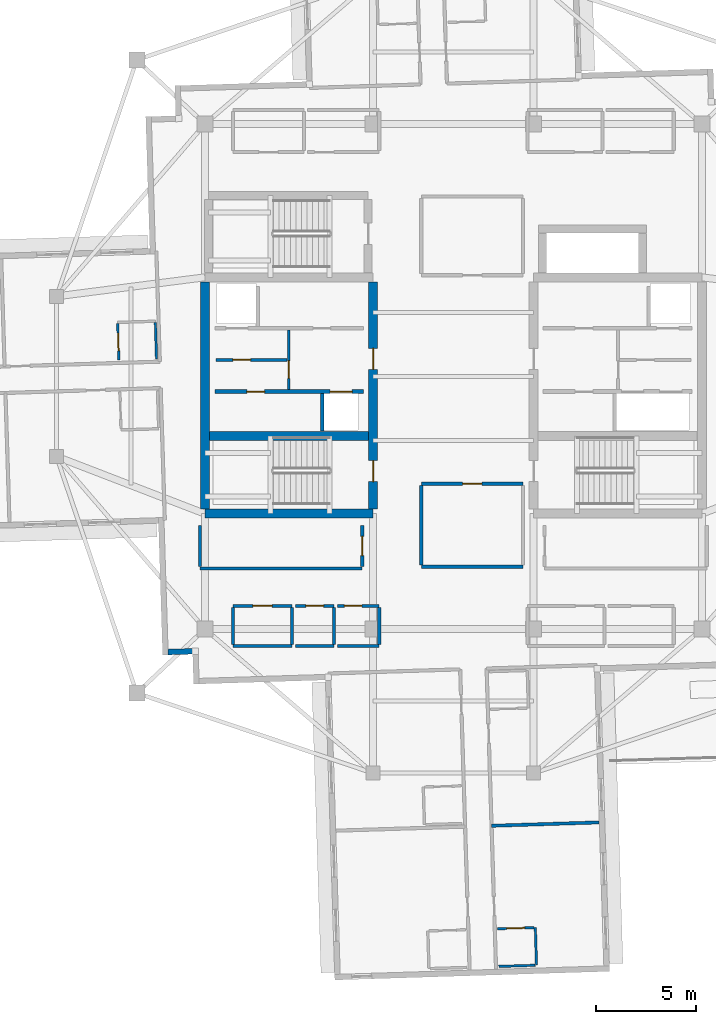
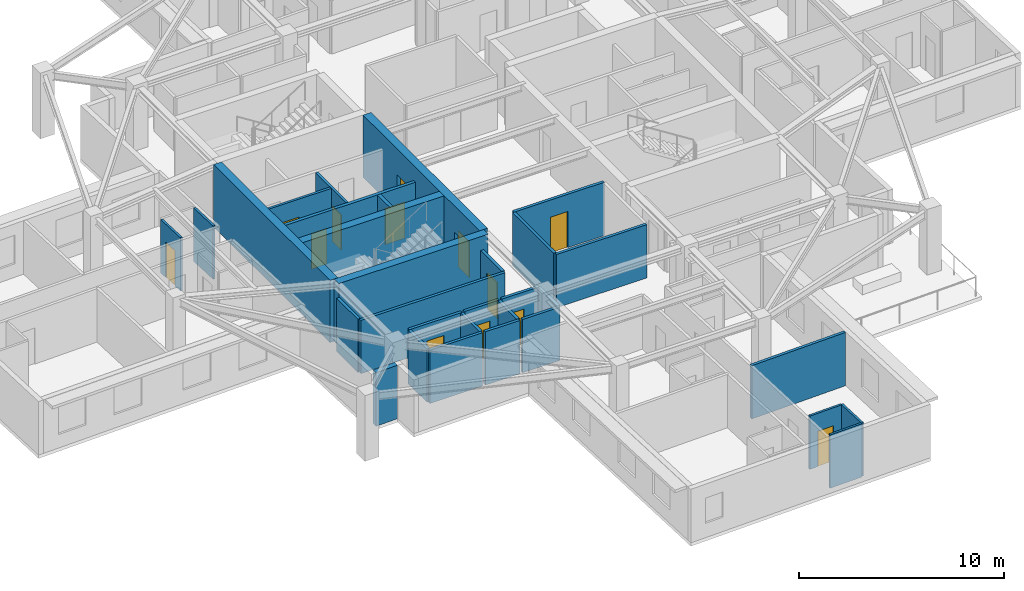
# One storey, part 4 of 13: 31 walls, 13 doors, 13 openings.
"""IFC4 building model written with IfcOpenShell, lengths in metres."""

from ifc_helpers import new_model, si_unit, direction, frame, frame_2d, origin, place, context, subcontext, project, spatial, rectangle, extrude, material, layer, layer_set, type_object, element, fill, save


model = new_model("IFC4")

# Units and contexts
model_context = context("Model", 3, precision=1e-05, world=origin(), true_north=direction((0.0, 1.0)))
body_context = subcontext(model_context, "Body", "Model", "MODEL_VIEW")
ifc_project = project(units=[si_unit("LENGTHUNIT", "METRE"), si_unit("AREAUNIT", "SQUARE_METRE"), si_unit("VOLUMEUNIT", "CUBIC_METRE"), si_unit("PLANEANGLEUNIT", "RADIAN"), si_unit("MASSUNIT", "GRAM", prefix="KILO")], contexts=[model_context])

# Site, building, storey
site_placement = place(None, origin())
site = spatial("IfcSite", under=ifc_project, at=site_placement, CompositionType="ELEMENT")
building_placement = place(site_placement, origin())
building = spatial("IfcBuilding", under=site, at=building_placement, Name="Qingluan Cross Belvedere", CompositionType="ELEMENT")
storey_placement = place(building_placement, frame((0.0, 0.0, 273.300048828125)))
storey = spatial("IfcBuildingStorey", under=building, at=storey_placement, Name="L68", CompositionType="ELEMENT", Elevation=273.300048828125)

# Walls
ifc_material_1 = material(Name="Concrete C50", Category="concrete")
ifc_layer_1 = layer(ifc_material_1, 0.449951171875, Name="CoreShearWall_450")
ifc_layer_set_1 = layer_set([ifc_layer_1], Name="Concrete C50")
wall_type_1 = type_object("IfcWallType", Name="CoreShearWall_450", PredefinedType="SHEAR", material=ifc_layer_set_1)
wall_1_placement = place(storey_placement, frame((-12.39990234375, -6.85009765625, 0.0), z_axis=(0.0, 0.0, 1.0), x_axis=(1.0, 0.0, 0.0)))
element("IfcWall", 1, at=wall_1_placement, inside=storey, type_object=wall_type_1, Name="Split core W shear wall L68-S", PredefinedType="SHEAR", context=body_context, shape_type="SweptSolid", body=[
    extrude(rectangle(XDim=8.39990234375, YDim=0.449951171875, at=frame_2d((4.199951171875, 0.0))), origin(), (0.0, 0.0, 1.0), 3.699951171875),
])
wall_2_placement = place(storey_placement, frame((-12.39990234375, -6.6201171875, 0.0), z_axis=(0.0, 0.0, 1.0), x_axis=(0.0, 1.0, 0.0)))
element("IfcWall", 2, at=wall_2_placement, inside=storey, type_object=wall_type_1, Name="Split core W shear wall L68-W", PredefinedType="SHEAR", context=body_context, shape_type="SweptSolid", body=[
    extrude(rectangle(XDim=11.340087890625, YDim=0.449951171875, at=frame_2d((5.669921875, 0.0))), origin(), (0.0, 0.0, 1.0), 3.699951171875),
])

# Wall, openings, doors
wall_3_placement = place(storey_placement, frame((-4.0, -6.6201171875, 0.0), z_axis=(0.0, 0.0, 1.0), x_axis=(0.0, 1.0, 0.0)))
wall_3 = element("IfcWall", 3, at=wall_3_placement, inside=storey, type_object=wall_type_1, Name="Split core W shear wall L68-E", PredefinedType="SHEAR", context=body_context, shape_type="SweptSolid", body=[
    extrude(rectangle(XDim=11.340087890625, YDim=0.449951171875, at=frame_2d((5.669921875, 0.0))), origin(), (0.0, 0.0, 1.0), 3.699951171875),
])
opening_1_placement = place(wall_3_placement, frame((1.3701171875, 0.0, 0.0)))
opening_1 = element("IfcOpeningElement", 4, at=opening_1_placement, cuts=wall_3, Name="Opening FD-B11", PredefinedType="OPENING", context=body_context, shape_type="SweptSolid", body=[
    extrude(rectangle(XDim=1.050048828125, YDim=2.14990234375, at=frame_2d((0.52490234375, 1.074951171875))), frame((0.0, 0.23486328125, 0.0), z_axis=(0.0, -1.0, 0.0), x_axis=(1.0, 0.0, 0.0)), (0.0, 0.0, 1.0), 0.469970703125),
])
opening_2_placement = place(wall_3_placement, frame((6.969970703125, 0.0, 0.0)))
opening_2 = element("IfcOpeningElement", 5, at=opening_2_placement, cuts=wall_3, Name="Opening FD-B11", PredefinedType="OPENING", context=body_context, shape_type="SweptSolid", body=[
    extrude(rectangle(XDim=1.050048828125, YDim=2.14990234375, at=frame_2d((0.52490234375, 1.074951171875))), frame((0.0, 0.23486328125, 0.0), z_axis=(0.0, -1.0, 0.0), x_axis=(1.0, 0.0, 0.0)), (0.0, 0.0, 1.0), 0.469970703125),
])
ifc_material_2 = material(Name="Steel Class B smoke-seal fire door", Category="steel")
door_type_1 = type_object("IfcDoorType", Name="StairLobbyFireDoor_FDB", OperationType="NOTDEFINED", PredefinedType="DOOR", material=ifc_material_2)
door_1_placement = place(opening_1_placement, origin())
door_1 = element("IfcDoor", 6, at=door_1_placement, inside=storey, type_object=door_type_1, Name="Smoke-proof stair ST1 fire door L68", OperationType="SINGLE_SWING_RIGHT", OverallHeight=2.14990234375, OverallWidth=1.050048828125, PredefinedType="DOOR", context=body_context, shape_type="SweptSolid", body=[
    extrude(rectangle(XDim=1.050048828125, YDim=2.14990234375, at=frame_2d((0.52490234375, 1.074951171875))), frame((0.0, 0.02490234375, 0.0), z_axis=(0.0, -1.0, 0.0), x_axis=(1.0, 0.0, 0.0)), (0.0, 0.0, 1.0), 0.050048828125),
])
fill(opening_1, door_1)
door_2_placement = place(opening_2_placement, origin())
door_2 = element("IfcDoor", 7, at=door_2_placement, inside=storey, type_object=door_type_1, Name="Firefighting lobby West fire door L68", OperationType="SINGLE_SWING_RIGHT", OverallHeight=2.14990234375, OverallWidth=1.050048828125, PredefinedType="DOOR", context=body_context, shape_type="SweptSolid", body=[
    extrude(rectangle(XDim=1.050048828125, YDim=2.14990234375, at=frame_2d((0.52490234375, 1.074951171875))), frame((0.0, 0.02490234375, 0.0), z_axis=(0.0, -1.0, 0.0), x_axis=(1.0, 0.0, 0.0)), (0.0, 0.0, 1.0), 0.050048828125),
])
fill(opening_2, door_2)

# Wall
wall_4_placement = place(storey_placement, frame((-12.169921875, -2.9599609375, 0.0), z_axis=(0.0, 0.0, 1.0), x_axis=(1.0, 0.0, 0.0)))
element("IfcWall", 8, at=wall_4_placement, inside=storey, type_object=wall_type_1, Name="Split core W shear wall L68-M", PredefinedType="SHEAR", context=body_context, shape_type="SweptSolid", body=[
    extrude(rectangle(XDim=7.93994140625, YDim=0.449951171875, at=frame_2d((3.969970703125, 0.0))), origin(), (0.0, 0.0, 1.0), 3.699951171875),
])

# Wall, opening, door
ifc_material_3 = material(Name="Gypsum plasterboard on steel stud acoustic partition", Category="steel")
ifc_layer_2 = layer(ifc_material_3, 0.159912109375, Name="CorridorPartition_160")
ifc_layer_set_2 = layer_set([ifc_layer_2], Name="Gypsum plasterboard on steel stud acoustic partition")
wall_type_2 = type_object("IfcWallType", Name="CorridorPartition_160", PredefinedType="PARTITIONING", material=ifc_layer_set_2)
wall_5_placement = place(storey_placement, frame((-11.85009765625, 0.830078125, 0.0), z_axis=(0.0, 0.0, 1.0), x_axis=(1.0, 0.0, 0.0)))
wall_5 = element("IfcWall", 9, at=wall_5_placement, inside=storey, type_object=wall_type_2, Name="Partition L68:w", PredefinedType="PARTITIONING", context=body_context, shape_type="SweptSolid", body=[
    extrude(rectangle(XDim=3.552001953125, YDim=0.139892578125, at=frame_2d((1.77587890625, 0.0))), origin(), (0.0, 0.0, 1.0), 3.169921875),
])
opening_3_placement = place(wall_5_placement, frame((0.85009765625, 0.0, 0.0)))
opening_3 = element("IfcOpeningElement", 10, at=opening_3_placement, cuts=wall_5, Name="Opening FD-B10", PredefinedType="OPENING", context=body_context, shape_type="SweptSolid", body=[
    extrude(rectangle(XDim=0.8798828125, YDim=2.10009765625, at=frame_2d((0.43994140625, 1.050048828125))), frame((0.0, 0.079833984375, 0.0), z_axis=(0.0, -1.0, 0.0), x_axis=(1.0, 0.0, 0.0)), (0.0, 0.0, 1.0), 0.159912109375),
])
ifc_material_4 = material(Name="Steel Class B service fire door", Category="steel")
door_type_2 = type_object("IfcDoorType", Name="RiserServiceFireDoor_FDB", OperationType="NOTDEFINED", PredefinedType="DOOR", material=ifc_material_4)
door_3_placement = place(opening_3_placement, origin())
door_3 = element("IfcDoor", 11, at=door_3_placement, inside=storey, type_object=door_type_2, Name="Service closet inner door L68", OperationType="SINGLE_SWING_LEFT", OverallHeight=2.10009765625, OverallWidth=0.8798828125, PredefinedType="DOOR", context=body_context, shape_type="SweptSolid", body=[
    extrude(rectangle(XDim=0.8798828125, YDim=2.10009765625, at=frame_2d((0.43994140625, 1.050048828125))), frame((0.0, 0.02490234375, 0.0), z_axis=(0.0, -1.0, 0.0), x_axis=(1.0, 0.0, 0.0)), (0.0, 0.0, 1.0), 0.050048828125),
])
fill(opening_3, door_3)

# Wall
wall_6_placement = place(storey_placement, frame((-11.0, -13.449951171875, 0.0), z_axis=(0.0, 0.0, 1.0), x_axis=(1.0, 0.0, 0.0)))
element("IfcWall", 12, at=wall_6_placement, inside=storey, type_object=wall_type_2, Name="Partition L68:q_sw_occ:S", PredefinedType="PARTITIONING", context=body_context, shape_type="SweptSolid", body=[
    extrude(rectangle(XDim=2.949951171875, YDim=0.159912109375, at=frame_2d((1.47509765625, 0.0))), origin(), (0.0, 0.0, 1.0), 3.169921875),
])

# Wall, opening, door
wall_7_placement = place(storey_placement, frame((-11.0, -11.449951171875, 0.0), z_axis=(0.0, 0.0, 1.0), x_axis=(1.0, 0.0, 0.0)))
wall_7 = element("IfcWall", 13, at=wall_7_placement, inside=storey, type_object=wall_type_2, Name="Partition L68:q_sw_occ:N", PredefinedType="PARTITIONING", context=body_context, shape_type="SweptSolid", body=[
    extrude(rectangle(XDim=2.949951171875, YDim=0.159912109375, at=frame_2d((1.47509765625, 0.0))), origin(), (0.0, 0.0, 1.0), 3.169921875),
])
opening_4_placement = place(wall_7_placement, frame((0.9951171875, 0.0, 0.0)))
opening_4 = element("IfcOpeningElement", 14, at=opening_4_placement, cuts=wall_7, Name="Opening GD-10", PredefinedType="OPENING", context=body_context, shape_type="SweptSolid", body=[
    extrude(rectangle(XDim=0.9599609375, YDim=2.14990234375, at=frame_2d((0.47998046875, 1.074951171875))), frame((0.0, 0.08984375, 0.0), z_axis=(0.0, -1.0, 0.0), x_axis=(1.0, 0.0, 0.0)), (0.0, 0.0, 1.0), 0.179931640625),
])
ifc_material_5 = material(Name="Timber oak fire-rated acoustic guestroom door", Category="wood")
door_type_3 = type_object("IfcDoorType", Name="GuestEntryDoor_FD60", OperationType="NOTDEFINED", PredefinedType="DOOR", material=ifc_material_5)
door_4_placement = place(opening_4_placement, origin())
door_4 = element("IfcDoor", 15, at=door_4_placement, inside=storey, type_object=door_type_3, Name="Astronomy study room L68 door", OperationType="SINGLE_SWING_RIGHT", OverallHeight=2.14990234375, OverallWidth=0.9599609375, PredefinedType="DOOR", context=body_context, shape_type="SweptSolid", body=[
    extrude(rectangle(XDim=0.9599609375, YDim=2.14990234375, at=frame_2d((0.47998046875, 1.074951171875))), frame((0.0, 0.02490234375, 0.0), z_axis=(0.0, -1.0, 0.0), x_axis=(1.0, 0.0, 0.0)), (0.0, 0.0, 1.0), 0.050048828125),
])
fill(opening_4, door_4)

# Walls
for number, where, z_axis, x_axis, name in (
    (16, (-11.0, -13.364990234375, 0.0), (0.0, 0.0, 1.0), (0.0, 1.0, 0.0), "Partition L68:q_sw_occ:W"),
    (17, (-8.050048828125, -13.364990234375, 0.0), (0.0, 0.0, 1.0), (0.0, 1.0, 0.0), "Partition L68:q_sw_occ:E"),
):
    element("IfcWall", number, at=place(storey_placement, frame(where, z_axis=z_axis, x_axis=x_axis)), inside=storey, type_object=wall_type_2, Name=name, PredefinedType="PARTITIONING", context=body_context, shape_type="SweptSolid", body=[
        extrude(rectangle(XDim=1.830078125, YDim=0.159912109375, at=frame_2d((0.9150390625, 0.0))), origin(), (0.0, 0.0, 1.0), 3.169921875),
    ])
wall_8_placement = place(storey_placement, frame((-7.889892578125, -13.449951171875, 0.0), z_axis=(0.0, 0.0, 1.0), x_axis=(1.0, 0.0, 0.0)))
element("IfcWall", 18, at=wall_8_placement, inside=storey, type_object=wall_type_2, Name="Partition L68:hk_linen:S", PredefinedType="PARTITIONING", context=body_context, shape_type="SweptSolid", body=[
    extrude(rectangle(XDim=1.93994140625, YDim=0.159912109375, at=frame_2d((0.969970703125, 0.0))), origin(), (0.0, 0.0, 1.0), 3.169921875),
])

# Wall, opening, door
wall_9_placement = place(storey_placement, frame((-7.889892578125, -11.449951171875, 0.0), z_axis=(0.0, 0.0, 1.0), x_axis=(1.0, 0.0, 0.0)))
wall_9 = element("IfcWall", 19, at=wall_9_placement, inside=storey, type_object=wall_type_2, Name="Partition L68:hk_linen:N", PredefinedType="PARTITIONING", context=body_context, shape_type="SweptSolid", body=[
    extrude(rectangle(XDim=1.93994140625, YDim=0.159912109375, at=frame_2d((0.969970703125, 0.0))), origin(), (0.0, 0.0, 1.0), 3.169921875),
])
opening_5_placement = place(wall_9_placement, frame((0.530029296875, 0.0, 0.0)))
opening_5 = element("IfcOpeningElement", 20, at=opening_5_placement, cuts=wall_9, Name="Opening FD-B10", PredefinedType="OPENING", context=body_context, shape_type="SweptSolid", body=[
    extrude(rectangle(XDim=0.8798828125, YDim=2.10009765625, at=frame_2d((0.43994140625, 1.050048828125))), frame((0.0, 0.08984375, 0.0), z_axis=(0.0, -1.0, 0.0), x_axis=(1.0, 0.0, 0.0)), (0.0, 0.0, 1.0), 0.179931640625),
])
door_5_placement = place(opening_5_placement, origin())
door_5 = element("IfcDoor", 21, at=door_5_placement, inside=storey, type_object=door_type_2, Name="Housekeeping and linen store L68 door", OperationType="SINGLE_SWING_LEFT", OverallHeight=2.10009765625, OverallWidth=0.8798828125, PredefinedType="DOOR", context=body_context, shape_type="SweptSolid", body=[
    extrude(rectangle(XDim=0.8798828125, YDim=2.10009765625, at=frame_2d((0.43994140625, 1.050048828125))), frame((0.0, 0.02490234375, 0.0), z_axis=(0.0, -1.0, 0.0), x_axis=(1.0, 0.0, 0.0)), (0.0, 0.0, 1.0), 0.050048828125),
])
fill(opening_5, door_5)

# Walls
wall_10_placement = place(storey_placement, frame((-5.949951171875, -13.364990234375, 0.0), z_axis=(0.0, 0.0, 1.0), x_axis=(0.0, 1.0, 0.0)))
element("IfcWall", 22, at=wall_10_placement, inside=storey, type_object=wall_type_2, Name="Partition L68:hk_linen:E", PredefinedType="PARTITIONING", context=body_context, shape_type="SweptSolid", body=[
    extrude(rectangle(XDim=1.830078125, YDim=0.159912109375, at=frame_2d((0.9150390625, 0.0))), origin(), (0.0, 0.0, 1.0), 3.169921875),
])
wall_11_placement = place(storey_placement, frame((-5.7900390625, -13.449951171875, 0.0), z_axis=(0.0, 0.0, 1.0), x_axis=(1.0, 0.0, 0.0)))
element("IfcWall", 23, at=wall_11_placement, inside=storey, type_object=wall_type_2, Name="Partition L68:floor_acc_wc:S", PredefinedType="PARTITIONING", context=body_context, shape_type="SweptSolid", body=[
    extrude(rectangle(XDim=2.090087890625, YDim=0.159912109375, at=frame_2d((1.044921875, 0.0))), origin(), (0.0, 0.0, 1.0), 3.169921875),
])

# Wall, opening, door
wall_12_placement = place(storey_placement, frame((-5.7900390625, -11.449951171875, 0.0), z_axis=(0.0, 0.0, 1.0), x_axis=(1.0, 0.0, 0.0)))
wall_12 = element("IfcWall", 24, at=wall_12_placement, inside=storey, type_object=wall_type_2, Name="Partition L68:floor_acc_wc:N", PredefinedType="PARTITIONING", context=body_context, shape_type="SweptSolid", body=[
    extrude(rectangle(XDim=2.090087890625, YDim=0.159912109375, at=frame_2d((1.044921875, 0.0))), origin(), (0.0, 0.0, 1.0), 3.169921875),
])
opening_6_placement = place(wall_12_placement, frame((0.35009765625, 0.0, 0.0)))
opening_6 = element("IfcOpeningElement", 25, at=opening_6_placement, cuts=wall_12, Name="Opening BD-08", PredefinedType="OPENING", context=body_context, shape_type="SweptSolid", body=[
    extrude(rectangle(XDim=0.8798828125, YDim=2.14990234375, at=frame_2d((0.43994140625, 1.074951171875))), frame((0.0, 0.08984375, 0.0), z_axis=(0.0, -1.0, 0.0), x_axis=(1.0, 0.0, 0.0)), (0.0, 0.0, 1.0), 0.179931640625),
])
ifc_material_6 = material(Name="Moisture-sealed timber accessible WC door", Category="wood")
door_type_4 = type_object("IfcDoorType", Name="AccessibleWCDoor_880", OperationType="NOTDEFINED", PredefinedType="DOOR", material=ifc_material_6)
door_6_placement = place(opening_6_placement, origin())
door_6 = element("IfcDoor", 26, at=door_6_placement, inside=storey, type_object=door_type_4, Name="Accessible guest washroom L68 door", OperationType="SINGLE_SWING_RIGHT", OverallHeight=2.14990234375, OverallWidth=0.8798828125, PredefinedType="DOOR", context=body_context, shape_type="SweptSolid", body=[
    extrude(rectangle(XDim=0.8798828125, YDim=2.14990234375, at=frame_2d((0.43994140625, 1.074951171875))), frame((0.0, 0.02490234375, 0.0), z_axis=(0.0, -1.0, 0.0), x_axis=(1.0, 0.0, 0.0)), (0.0, 0.0, 1.0), 0.050048828125),
])
fill(opening_6, door_6)

# Walls
wall_13_placement = place(storey_placement, frame((-3.699951171875, -13.364990234375, 0.0), z_axis=(0.0, 0.0, 1.0), x_axis=(0.0, 1.0, 0.0)))
element("IfcWall", 27, at=wall_13_placement, inside=storey, type_object=wall_type_2, Name="Partition L68:floor_acc_wc:E", PredefinedType="PARTITIONING", context=body_context, shape_type="SweptSolid", body=[
    extrude(rectangle(XDim=1.830078125, YDim=0.159912109375, at=frame_2d((0.9150390625, 0.0))), origin(), (0.0, 0.0, 1.0), 3.169921875),
])
wall_14_placement = place(storey_placement, frame((-1.60009765625, -9.5, 0.0), z_axis=(0.0, 0.0, 1.0), x_axis=(1.0, 0.0, 0.0)))
element("IfcWall", 28, at=wall_14_placement, inside=storey, type_object=wall_type_2, Name="Partition L68:sky_south_alcove:S", PredefinedType="PARTITIONING", context=body_context, shape_type="SweptSolid", body=[
    extrude(rectangle(XDim=5.080078125, YDim=0.159912109375, at=frame_2d((2.5400390625, 0.0))), origin(), (0.0, 0.0, 1.0), 3.169921875),
])

# Wall, opening, door
wall_15_placement = place(storey_placement, frame((-1.60009765625, -5.35009765625, 0.0), z_axis=(0.0, 0.0, 1.0), x_axis=(1.0, 0.0, 0.0)))
wall_15 = element("IfcWall", 29, at=wall_15_placement, inside=storey, type_object=wall_type_2, Name="Partition L68:sky_south_alcove:N", PredefinedType="PARTITIONING", context=body_context, shape_type="SweptSolid", body=[
    extrude(rectangle(XDim=5.080078125, YDim=0.159912109375, at=frame_2d((2.5400390625, 0.0))), origin(), (0.0, 0.0, 1.0), 3.169921875),
])
opening_7_placement = place(wall_15_placement, frame((2.06005859375, 0.0, 0.0)))
opening_7 = element("IfcOpeningElement", 30, at=opening_7_placement, cuts=wall_15, Name="Opening GD-10", PredefinedType="OPENING", context=body_context, shape_type="SweptSolid", body=[
    extrude(rectangle(XDim=0.9599609375, YDim=2.14990234375, at=frame_2d((0.47998046875, 1.074951171875))), frame((0.0, 0.08984375, 0.0), z_axis=(0.0, -1.0, 0.0), x_axis=(1.0, 0.0, 0.0)), (0.0, 0.0, 1.0), 0.179931640625),
])
door_7_placement = place(opening_7_placement, origin())
door_7 = element("IfcDoor", 31, at=door_7_placement, inside=storey, type_object=door_type_3, Name="South horizon reading alcove L68 door", OperationType="SINGLE_SWING_RIGHT", OverallHeight=2.14990234375, OverallWidth=0.9599609375, PredefinedType="DOOR", context=body_context, shape_type="SweptSolid", body=[
    extrude(rectangle(XDim=0.9599609375, YDim=2.14990234375, at=frame_2d((0.47998046875, 1.074951171875))), frame((0.0, 0.02490234375, 0.0), z_axis=(0.0, -1.0, 0.0), x_axis=(1.0, 0.0, 0.0)), (0.0, 0.0, 1.0), 0.050048828125),
])
fill(opening_7, door_7)

# Walls
wall_16_placement = place(storey_placement, frame((-1.60009765625, -9.4150390625, 0.0), z_axis=(0.0, 0.0, 1.0), x_axis=(0.0, 1.0, 0.0)))
element("IfcWall", 32, at=wall_16_placement, inside=storey, type_object=wall_type_2, Name="Partition L68:sky_south_alcove:W", PredefinedType="PARTITIONING", context=body_context, shape_type="SweptSolid", body=[
    extrude(rectangle(XDim=3.97998046875, YDim=0.159912109375, at=frame_2d((1.989990234375, 0.0))), origin(), (0.0, 0.0, 1.0), 3.169921875),
])
wall_17_placement = place(storey_placement, frame((-12.64990234375, -9.580078125, 0.0), z_axis=(0.0, 0.0, 1.0), x_axis=(1.0, 0.0, 0.0)))
element("IfcWall", 33, at=wall_17_placement, inside=storey, type_object=wall_type_2, Name="Partition L68:rec_st4_w:S", PredefinedType="PARTITIONING", context=body_context, shape_type="SweptSolid", body=[
    extrude(rectangle(XDim=8.099853515625, YDim=0.159912109375, at=frame_2d((4.0498046875, 0.0))), origin(), (0.0, 0.0, 1.0), 3.169921875),
])
wall_18_placement = place(storey_placement, frame((-12.64990234375, -9.4951171875, 0.0), z_axis=(0.0, 0.0, 1.0), x_axis=(0.0, 1.0, 0.0)))
element("IfcWall", 34, at=wall_18_placement, inside=storey, type_object=wall_type_2, Name="Partition L68:rec_st4_w:W", PredefinedType="PARTITIONING", context=body_context, shape_type="SweptSolid", body=[
    extrude(rectangle(XDim=2.06005859375, YDim=0.159912109375, at=frame_2d((1.030029296875, 0.0))), origin(), (0.0, 0.0, 1.0), 3.169921875),
])

# Wall, opening, door
wall_19_placement = place(storey_placement, frame((-4.550048828125, -9.4951171875, 0.0), z_axis=(0.0, 0.0, 1.0), x_axis=(0.0, 1.0, 0.0)))
wall_19 = element("IfcWall", 35, at=wall_19_placement, inside=storey, type_object=wall_type_2, Name="Partition L68:rec_st4_w:E", PredefinedType="PARTITIONING", context=body_context, shape_type="SweptSolid", body=[
    extrude(rectangle(XDim=2.06005859375, YDim=0.159912109375, at=frame_2d((1.030029296875, 0.0))), origin(), (0.0, 0.0, 1.0), 3.169921875),
])
opening_8_placement = place(wall_19_placement, frame((0.550048828125, 0.0, 0.0)))
opening_8 = element("IfcOpeningElement", 36, at=opening_8_placement, cuts=wall_19, Name="Opening GD-10", PredefinedType="OPENING", context=body_context, shape_type="SweptSolid", body=[
    extrude(rectangle(XDim=0.9599609375, YDim=2.14990234375, at=frame_2d((0.47998046875, 1.074951171875))), frame((0.0, 0.08984375, 0.0), z_axis=(0.0, -1.0, 0.0), x_axis=(1.0, 0.0, 0.0)), (0.0, 0.0, 1.0), 0.179931640625),
])
door_8_placement = place(opening_8_placement, origin())
door_8 = element("IfcDoor", 37, at=door_8_placement, inside=storey, type_object=door_type_3, Name="Southwest club reading room L68 door", OperationType="SINGLE_SWING_RIGHT", OverallHeight=2.14990234375, OverallWidth=0.9599609375, PredefinedType="DOOR", context=body_context, shape_type="SweptSolid", body=[
    extrude(rectangle(XDim=0.9599609375, YDim=2.14990234375, at=frame_2d((0.47998046875, 1.074951171875))), frame((0.0, 0.02490234375, 0.0), z_axis=(0.0, -1.0, 0.0), x_axis=(1.0, 0.0, 0.0)), (0.0, 0.0, 1.0), 0.050048828125),
])
fill(opening_8, door_8)

# Wall
wall_20_placement = place(storey_placement, frame((1.9052734375, -22.42431640625, 0.0), z_axis=(0.0, 0.0, 1.0), x_axis=(0.999505358078, 0.031448993216, 0.0)))
element("IfcWall", 38, at=wall_20_placement, inside=storey, type_object=wall_type_2, Name="Partition L68:S:d0_0", PredefinedType="PARTITIONING", context=body_context, shape_type="SweptSolid", body=[
    extrude(rectangle(XDim=5.3720703125, YDim=0.159912109375, at=frame_2d((2.68603515625, 0.0))), origin(), (0.0, 0.0, 1.0), 3.169921875),
])

# Wall, opening, door
ifc_material_7 = material(Name="Moisture-resistant gypsum board lining")
ifc_layer_3 = layer(ifc_material_7, 0.1201171875, Name="EnsuiteWetPartition_120")
ifc_layer_set_3 = layer_set([ifc_layer_3], Name="Moisture-resistant gypsum board lining")
wall_type_3 = type_object("IfcWallType", Name="EnsuiteWetPartition_120", PredefinedType="PARTITIONING", material=ifc_layer_set_3)
wall_21_placement = place(storey_placement, frame((-16.69384765625, 0.81591796875, 0.0), z_axis=(0.0, 0.0, 1.0), x_axis=(-0.031389704724, 0.999507221803, 0.0)))
wall_21 = element("IfcWall", 39, at=wall_21_placement, inside=storey, type_object=wall_type_3, Name="Partition L68:W:bs0_0", PredefinedType="PARTITIONING", context=body_context, shape_type="SweptSolid", body=[
    extrude(rectangle(XDim=1.820068359375, YDim=0.1201171875, at=frame_2d((0.91015625, 0.0))), origin(), (0.0, 0.0, 1.0), 3.169921875),
])
opening_9_placement = place(wall_21_placement, frame((0.469970703125, 0.0, 0.0)))
opening_9 = element("IfcOpeningElement", 40, at=opening_9_placement, cuts=wall_21, Name="Opening BD-09", PredefinedType="OPENING", context=body_context, shape_type="SweptSolid", body=[
    extrude(rectangle(XDim=0.8798828125, YDim=2.10009765625, at=frame_2d((0.43994140625, 1.050048828125))), frame((0.0, 0.070068359375, 0.0), z_axis=(0.0, -1.0, 0.0), x_axis=(1.0, 0.0, 0.0)), (0.0, 0.0, 1.0), 0.14013671875),
])
ifc_material_8 = material(Name="Moisture-sealed timber en-suite door", Category="wood")
door_type_5 = type_object("IfcDoorType", Name="BathroomDoor_880", OperationType="NOTDEFINED", PredefinedType="DOOR", material=ifc_material_8)
door_9_placement = place(opening_9_placement, origin())
door_9 = element("IfcDoor", 41, at=door_9_placement, inside=storey, type_object=door_type_5, Name="Bathroom door 6805", OperationType="SINGLE_SWING_RIGHT", OverallHeight=2.10009765625, OverallWidth=0.8798828125, PredefinedType="DOOR", context=body_context, shape_type="SweptSolid", body=[
    extrude(rectangle(XDim=0.8798828125, YDim=2.10009765625, at=frame_2d((0.43994140625, 1.050048828125))), frame((0.0, 0.02490234375, 0.0), z_axis=(0.0, -1.0, 0.0), x_axis=(1.0, 0.0, 0.0)), (0.0, 0.0, 1.0), 0.050048828125),
])
fill(opening_9, door_9)

# Wall
wall_22_placement = place(storey_placement, frame((-14.814697265625, 0.875, 0.0), z_axis=(0.0, 0.0, 1.0), x_axis=(-0.03152371574, 0.999503004171, 0.0)))
element("IfcWall", 42, at=wall_22_placement, inside=storey, type_object=wall_type_3, Name="Partition L68:W:bw0_0", PredefinedType="PARTITIONING", context=body_context, shape_type="SweptSolid", body=[
    extrude(rectangle(XDim=1.820068359375, YDim=0.1201171875, at=frame_2d((0.91015625, 0.0))), origin(), (0.0, 0.0, 1.0), 3.169921875),
])

# Wall, opening, door
wall_23_placement = place(storey_placement, frame((2.206787109375, -27.564208984375, 0.0), z_axis=(0.0, 0.0, 1.0), x_axis=(0.999507221803, 0.031389704724, 0.0)))
wall_23 = element("IfcWall", 43, at=wall_23_placement, inside=storey, type_object=wall_type_3, Name="Partition L68:S:bs0_1", PredefinedType="PARTITIONING", context=body_context, shape_type="SweptSolid", body=[
    extrude(rectangle(XDim=1.820068359375, YDim=0.1201171875, at=frame_2d((0.91015625, 0.0))), origin(), (0.0, 0.0, 1.0), 3.169921875),
])
opening_10_placement = place(wall_23_placement, frame((0.469970703125, 0.0, 0.0)))
opening_10 = element("IfcOpeningElement", 44, at=opening_10_placement, cuts=wall_23, Name="Opening BD-09", PredefinedType="OPENING", context=body_context, shape_type="SweptSolid", body=[
    extrude(rectangle(XDim=0.8798828125, YDim=2.10009765625, at=frame_2d((0.43994140625, 1.050048828125))), frame((0.0, 0.070068359375, 0.0), z_axis=(0.0, -1.0, 0.0), x_axis=(1.0, 0.0, 0.0)), (0.0, 0.0, 1.0), 0.14013671875),
])
door_10_placement = place(opening_10_placement, origin())
door_10 = element("IfcDoor", 45, at=door_10_placement, inside=storey, type_object=door_type_5, Name="Bathroom door 6816", OperationType="SINGLE_SWING_RIGHT", OverallHeight=2.10009765625, OverallWidth=0.8798828125, PredefinedType="DOOR", context=body_context, shape_type="SweptSolid", body=[
    extrude(rectangle(XDim=0.8798828125, YDim=2.10009765625, at=frame_2d((0.43994140625, 1.050048828125))), frame((0.0, 0.02490234375, 0.0), z_axis=(0.0, -1.0, 0.0), x_axis=(1.0, 0.0, 0.0)), (0.0, 0.0, 1.0), 0.050048828125),
])
fill(opening_10, door_10)

# Walls
wall_24_placement = place(storey_placement, frame((2.26611328125, -29.443359375, 0.0), z_axis=(0.0, 0.0, 1.0), x_axis=(0.999507221803, 0.031389704724, 0.0)))
element("IfcWall", 46, at=wall_24_placement, inside=storey, type_object=wall_type_3, Name="Partition L68:S:bw0_1", PredefinedType="PARTITIONING", context=body_context, shape_type="SweptSolid", body=[
    extrude(rectangle(XDim=1.820068359375, YDim=0.1201171875, at=frame_2d((0.91015625, 0.0))), origin(), (0.0, 0.0, 1.0), 3.169921875),
])
wall_25_placement = place(storey_placement, frame((4.091064453125, -27.505126953125, 0.0), z_axis=(0.0, 0.0, 1.0), x_axis=(0.031299625942, -0.999510046681, 0.0)))
element("IfcWall", 47, at=wall_25_placement, inside=storey, type_object=wall_type_3, Name="Partition L68:S:bn0_1", PredefinedType="PARTITIONING", context=body_context, shape_type="SweptSolid", body=[
    extrude(rectangle(XDim=1.8798828125, YDim=0.1201171875, at=frame_2d((0.93994140625, 0.0))), origin(), (0.0, 0.0, 1.0), 3.169921875),
])
ifc_material_9 = material(Name="Precast concrete C45", Category="concrete")
ifc_layer_4 = layer(ifc_material_9, 0.280029296875, Name="PrecastFacadeWall_280")
ifc_layer_set_4 = layer_set([ifc_layer_4], Name="Precast concrete C45")
wall_type_4 = type_object("IfcWallType", Name="PrecastFacadeWall_280", PredefinedType="STANDARD", material=ifc_layer_set_4)
wall_26_placement = place(storey_placement, frame((-14.235107421875, -13.75390625, 0.0), z_axis=(0.0, 0.0, 1.0), x_axis=(0.999506398264, 0.031415916822, 0.0)))
element("IfcWall", 48, at=wall_26_placement, inside=storey, type_object=wall_type_4, Name="Corner wall L68-SW2", PredefinedType="STANDARD", context=body_context, shape_type="SweptSolid", body=[
    extrude(rectangle(XDim=1.219970703125, YDim=0.280029296875, at=frame_2d((0.60986328125, 0.0))), origin(), (0.0, 0.0, 1.0), 3.179931640625),
])

# Wall, openings, doors
ifc_material_10 = material(Name="Concrete C40", Category="concrete")
ifc_layer_5 = layer(ifc_material_10, 0.219970703125, Name="ShaftEnclosureWall_250")
ifc_layer_set_5 = layer_set([ifc_layer_5], Name="Concrete C40")
wall_type_5 = type_object("IfcWallType", Name="ShaftEnclosureWall_250", PredefinedType="SOLIDWALL", material=ifc_layer_set_5)
wall_27_placement = place(storey_placement, frame((-11.89990234375, -0.75, 0.0), z_axis=(0.0, 0.0, 1.0), x_axis=(1.0, 0.0, 0.0)))
wall_27 = element("IfcWall", 49, at=wall_27_placement, inside=storey, type_object=wall_type_5, Name="Core-W mid hoistway wall L68", PredefinedType="SOLIDWALL", context=body_context, shape_type="SweptSolid", body=[
    extrude(rectangle(XDim=7.419921875, YDim=0.179931640625, at=frame_2d((3.7099609375, 0.0))), origin(), (0.0, 0.0, 1.0), 3.169921875),
])
opening_11_placement = place(wall_27_placement, frame((5.75, 0.0, 0.0)))
opening_11 = element("IfcOpeningElement", 50, at=opening_11_placement, cuts=wall_27, Name="Opening LD-11", PredefinedType="OPENING", context=body_context, shape_type="SweptSolid", body=[
    extrude(rectangle(XDim=1.10009765625, YDim=2.14990234375, at=frame_2d((0.550048828125, 1.074951171875))), frame((0.0, 0.099853515625, 0.0), z_axis=(0.0, -1.0, 0.0), x_axis=(1.0, 0.0, 0.0)), (0.0, 0.0, 1.0), 0.199951171875),
])
opening_12_placement = place(wall_27_placement, frame((1.60009765625, 0.0, 0.0)))
opening_12 = element("IfcOpeningElement", 51, at=opening_12_placement, cuts=wall_27, Name="Opening FD-B10", PredefinedType="OPENING", context=body_context, shape_type="SweptSolid", body=[
    extrude(rectangle(XDim=0.8798828125, YDim=2.10009765625, at=frame_2d((0.43994140625, 1.050048828125))), frame((0.0, 0.099853515625, 0.0), z_axis=(0.0, -1.0, 0.0), x_axis=(1.0, 0.0, 0.0)), (0.0, 0.0, 1.0), 0.199951171875),
])
ifc_material_11 = material(Name="Brushed stainless steel centre-opening lift landing door", Category="steel")
door_type_6 = type_object("IfcDoorType", Name="LiftLandingSlidingDoor_1100", OperationType="DOUBLE_DOOR_SLIDING", PredefinedType="DOOR", material=ifc_material_11)
door_11_placement = place(opening_11_placement, origin())
door_11 = element("IfcDoor", 52, at=door_11_placement, inside=storey, type_object=door_type_6, Name="Lift landing sliding door LP8 L68", OperationType="DOUBLE_DOOR_SLIDING", OverallHeight=2.14990234375, OverallWidth=1.10009765625, PredefinedType="DOOR", context=body_context, shape_type="SweptSolid", body=[
    extrude(rectangle(XDim=1.10009765625, YDim=2.14990234375, at=frame_2d((0.550048828125, 1.074951171875))), frame((0.0, 0.02490234375, 0.0), z_axis=(0.0, -1.0, 0.0), x_axis=(1.0, 0.0, 0.0)), (0.0, 0.0, 1.0), 0.050048828125),
])
fill(opening_11, door_11)
door_12_placement = place(opening_12_placement, origin())
door_12 = element("IfcDoor", 53, at=door_12_placement, inside=storey, type_object=door_type_2, Name="Upper-zone electrical room door L68", OperationType="SINGLE_SWING_LEFT", OverallHeight=2.10009765625, OverallWidth=0.8798828125, PredefinedType="DOOR", context=body_context, shape_type="SweptSolid", body=[
    extrude(rectangle(XDim=0.8798828125, YDim=2.10009765625, at=frame_2d((0.43994140625, 1.050048828125))), frame((0.0, 0.02490234375, 0.0), z_axis=(0.0, -1.0, 0.0), x_axis=(1.0, 0.0, 0.0)), (0.0, 0.0, 1.0), 0.050048828125),
])
fill(opening_12, door_12)

# Wall
wall_28_placement = place(storey_placement, frame((-6.5400390625, -2.72998046875, 0.0), z_axis=(0.0, 0.0, 1.0), x_axis=(0.0, 1.0, 0.0)))
element("IfcWall", 54, at=wall_28_placement, inside=storey, type_object=wall_type_5, Name="Hoistway enclosure divider LP8W L68", PredefinedType="SOLIDWALL", context=body_context, shape_type="SweptSolid", body=[
    extrude(rectangle(XDim=1.889892578125, YDim=0.179931640625, at=frame_2d((0.94482421875, 0.0))), origin(), (0.0, 0.0, 1.0), 3.169921875),
])

# Wall, opening, door
wall_29_placement = place(storey_placement, frame((-8.219970703125, -0.64990234375, 0.0), z_axis=(0.0, 0.0, 1.0), x_axis=(0.0, 1.0, 0.0)))
wall_29 = element("IfcWall", 55, at=wall_29_placement, inside=storey, type_object=wall_type_5, Name="Core-W service corridor wall L68", PredefinedType="SOLIDWALL", context=body_context, shape_type="SweptSolid", body=[
    extrude(rectangle(XDim=2.9599609375, YDim=0.139892578125, at=frame_2d((1.47998046875, 0.0))), origin(), (0.0, 0.0, 1.0), 3.169921875),
])
opening_13_placement = place(wall_29_placement, frame((0.550048828125, 0.0, 0.0)))
opening_13 = element("IfcOpeningElement", 56, at=opening_13_placement, cuts=wall_29, Name="Opening FD-B10", PredefinedType="OPENING", context=body_context, shape_type="SweptSolid", body=[
    extrude(rectangle(XDim=0.8798828125, YDim=2.10009765625, at=frame_2d((0.43994140625, 1.050048828125))), frame((0.0, 0.079833984375, 0.0), z_axis=(0.0, -1.0, 0.0), x_axis=(1.0, 0.0, 0.0)), (0.0, 0.0, 1.0), 0.159912109375),
])
door_13_placement = place(opening_13_placement, origin())
door_13 = element("IfcDoor", 57, at=door_13_placement, inside=storey, type_object=door_type_2, Name="Core-W service room door L68", OperationType="SINGLE_SWING_LEFT", OverallHeight=2.10009765625, OverallWidth=0.8798828125, PredefinedType="DOOR", context=body_context, shape_type="SweptSolid", body=[
    extrude(rectangle(XDim=0.8798828125, YDim=2.10009765625, at=frame_2d((0.43994140625, 1.050048828125))), frame((0.0, 0.02490234375, 0.0), z_axis=(0.0, -1.0, 0.0), x_axis=(1.0, 0.0, 0.0)), (0.0, 0.0, 1.0), 0.050048828125),
])
fill(opening_13, door_13)

save(model, "model.ifc")
